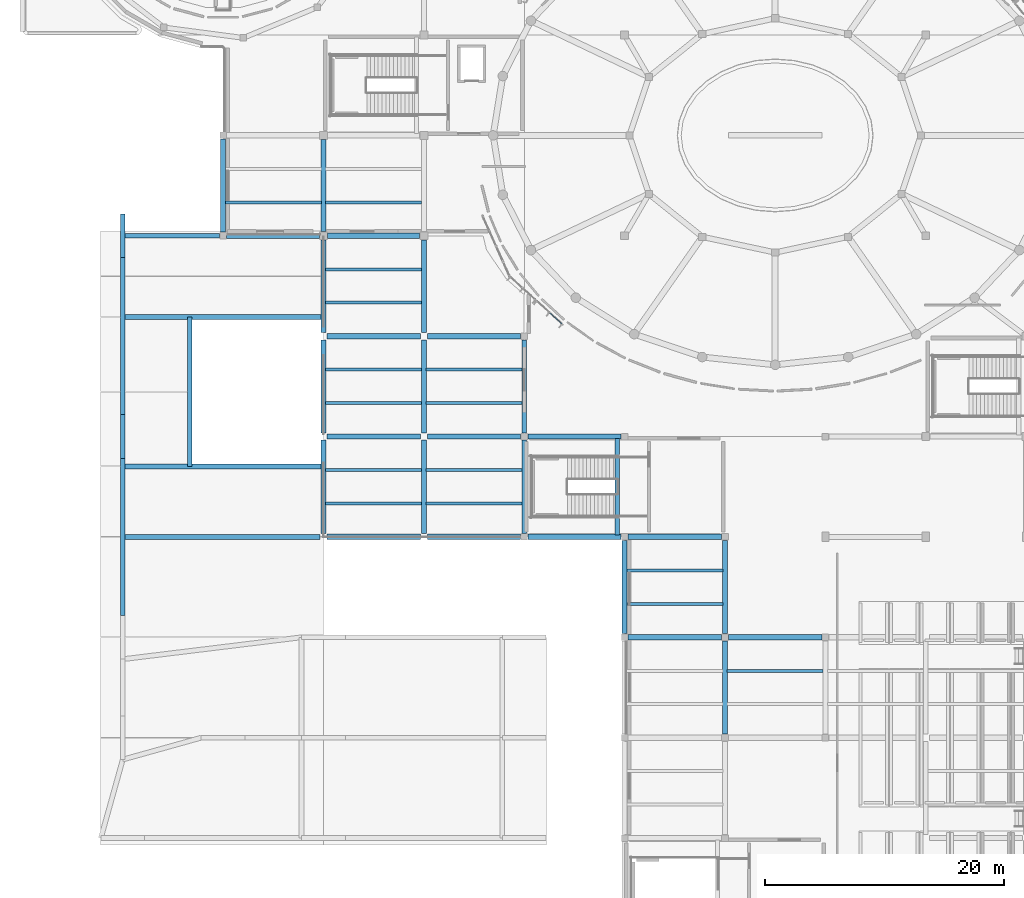
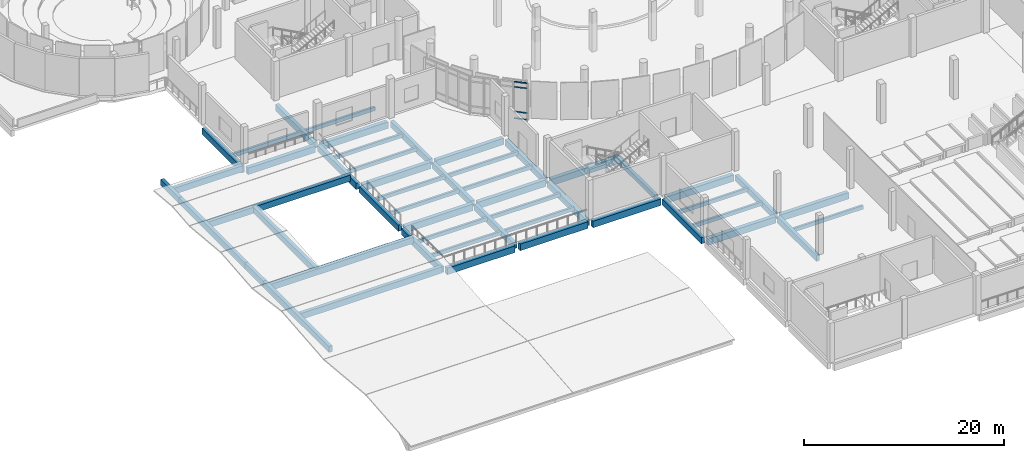
# One storey, part 2 of 63: 51 beams, 4 members, 1 element without a shape of its own.
"""IFC4 building model written with IfcOpenShell, lengths in metres."""

from ifc_helpers import new_model, si_unit, derived_unit, direction, frame, origin, origin_2d, place, context, subcontext, project, spatial, rectangle, hollow_rectangle, extrude, material, layer, layer_set, material_profile, profile_set, type_object, element, aggregate, save


model = new_model("IFC4")

# Units and contexts
model_context = context("Model", 3, precision=1e-05, world=origin(), true_north=direction((0.0, 1.0)))
body_context = subcontext(model_context, "Body", "Model", "MODEL_VIEW")
ifc_project = project(units=[si_unit("LENGTHUNIT", "METRE"), si_unit("AREAUNIT", "SQUARE_METRE"), si_unit("VOLUMEUNIT", "CUBIC_METRE"), si_unit("PLANEANGLEUNIT", "RADIAN"), si_unit("MASSUNIT", "GRAM", prefix="KILO"), derived_unit("THERMALTRANSMITTANCEUNIT", [(si_unit("POWERUNIT", "WATT"), 1), (si_unit("LENGTHUNIT", "METRE"), -2), (si_unit("THERMODYNAMICTEMPERATUREUNIT", "KELVIN"), -1)])], contexts=[model_context])

# Site, building, storey
site_placement = place(None, origin())
site = spatial("IfcSite", under=ifc_project, at=site_placement, CompositionType="ELEMENT")
building_placement = place(site_placement, origin())
building = spatial("IfcBuilding", under=site, at=building_placement, Name="Elbkamm Science Centre", CompositionType="ELEMENT")
storey_placement = place(building_placement, frame((0.0, 0.0, 5.10009765625)))
storey = spatial("IfcBuildingStorey", under=building, at=storey_placement, Name="L01", CompositionType="ELEMENT", Elevation=5.10009765625)

# Beams
ifc_material_1 = material(Name="Concrete C40/50", Category="concrete")
ifc_material_profile_1 = material_profile(ifc_material_1, rectangle(XDim=0.35009765625, YDim=0.60009765625, at=origin_2d()), Name="RC 350x600")
ifc_profile_set_1 = profile_set([ifc_material_profile_1], Name="Concrete C40/50")
beam_type_1 = type_object("IfcBeamType", Name="BM-RC-350x600", PredefinedType="BEAM", material=ifc_profile_set_1)
beam_1_placement = place(storey_placement, frame((49.780029296875, 33.75, -0.300048828125), z_axis=(0.0, 1.0, 0.0), x_axis=(-1.0, 0.0, 0.0)))
element("IfcBeam", 1, at=beam_1_placement, inside=storey, type_object=beam_type_1, Name="L01 ST-C5 Landing Trimmer Beam", PredefinedType="BEAM", context=body_context, shape_type="SweptSolid", body=[
    extrude(rectangle(XDim=0.35009765625, YDim=0.60009765625, at=origin_2d()), origin(), (0.0, 0.0, 1.0), 8.10009765625),
])
ifc_material_profile_2 = material_profile(ifc_material_1, rectangle(XDim=0.39990234375, YDim=0.75, at=origin_2d()), Name="RC 400x750")
ifc_profile_set_2 = profile_set([ifc_material_profile_2], Name="Concrete C40/50")
beam_type_2 = type_object("IfcBeamType", Name="BM-RC-400x750", PredefinedType="BEAM", material=ifc_profile_set_2)
beam_2_placement = place(storey_placement, frame((16.800048828125, 59.10009765625, -0.775146484375), z_axis=(0.0, 1.0, 0.0), x_axis=(-1.0, 0.0, 0.0)))
element("IfcBeam", 2, at=beam_2_placement, inside=storey, type_object=beam_type_2, Name="L01 Primary Y-Girder 001", PredefinedType="BEAM", context=body_context, shape_type="SweptSolid", body=[
    extrude(rectangle(XDim=0.39990234375, YDim=0.75, at=origin_2d()), origin(), (0.0, 0.0, 1.0), 7.7998046875),
])
for number, where, z_axis, x_axis, name in (
    (3, (25.199951171875, 33.89990234375, -0.625), (0.0, 1.0, 0.0), (-1.0, 0.0, 0.0), "L01 Primary Y-Girder 003"),
    (4, (25.199951171875, 42.300048828125, -0.625), (0.0, 1.0, 0.0), (-1.0, 0.0, 0.0), "L01 Primary Y-Girder 004"),
):
    element("IfcBeam", number, at=place(storey_placement, frame(where, z_axis=z_axis, x_axis=x_axis)), inside=storey, type_object=beam_type_2, Name=name, PredefinedType="BEAM", context=body_context, shape_type="SweptSolid", body=[
        extrude(rectangle(XDim=0.39990234375, YDim=0.75, at=origin_2d()), origin(), (0.0, 0.0, 1.0), 7.800048828125),
    ])
beam_3_placement = place(storey_placement, frame((25.199951171875, 50.699951171875, -0.625), z_axis=(0.0, 1.0, 0.0), x_axis=(-1.0, 0.0, 0.0)))
element("IfcBeam", 5, at=beam_3_placement, inside=storey, type_object=beam_type_2, Name="L01 Primary Y-Girder 005", PredefinedType="BEAM", context=body_context, shape_type="SweptSolid", body=[
    extrude(rectangle(XDim=0.39990234375, YDim=0.75, at=origin_2d()), origin(), (0.0, 0.0, 1.0), 7.75),
])
beam_4_placement = place(storey_placement, frame((25.199951171875, 59.14990234375, -0.775146484375), z_axis=(0.0, 1.0, 0.0), x_axis=(-1.0, 0.0, 0.0)))
element("IfcBeam", 6, at=beam_4_placement, inside=storey, type_object=beam_type_2, Name="L01 Primary Y-Girder 006", PredefinedType="BEAM", context=body_context, shape_type="SweptSolid", body=[
    extrude(rectangle(XDim=0.39990234375, YDim=0.75, at=origin_2d()), origin(), (0.0, 0.0, 1.0), 7.7001953125),
])
for number, where, z_axis, x_axis, name in (
    (7, (33.60009765625, 33.89990234375, -0.625), (0.0, 1.0, 0.0), (-1.0, 0.0, 0.0), "L01 Primary Y-Girder 007"),
    (8, (33.60009765625, 42.300048828125, -0.625), (0.0, 1.0, 0.0), (-1.0, 0.0, 0.0), "L01 Primary Y-Girder 008"),
):
    element("IfcBeam", number, at=place(storey_placement, frame(where, z_axis=z_axis, x_axis=x_axis)), inside=storey, type_object=beam_type_2, Name=name, PredefinedType="BEAM", context=body_context, shape_type="SweptSolid", body=[
        extrude(rectangle(XDim=0.39990234375, YDim=0.75, at=origin_2d()), origin(), (0.0, 0.0, 1.0), 7.800048828125),
    ])
beam_5_placement = place(storey_placement, frame((33.60009765625, 50.699951171875, -0.625), z_axis=(0.0, 1.0, 0.0), x_axis=(-1.0, 0.0, 0.0)))
element("IfcBeam", 9, at=beam_5_placement, inside=storey, type_object=beam_type_2, Name="L01 Primary Y-Girder 009", PredefinedType="BEAM", context=body_context, shape_type="SweptSolid", body=[
    extrude(rectangle(XDim=0.39990234375, YDim=0.75, at=origin_2d()), origin(), (0.0, 0.0, 1.0), 7.75),
])
for number, where, z_axis, x_axis, name in (
    (10, (42.0, 33.89990234375, -0.775146484375), (0.0, 1.0, 0.0), (-1.0, 0.0, 0.0), "L01 Primary Y-Girder 012"),
    (11, (42.0, 42.300048828125, -0.775146484375), (0.0, 1.0, 0.0), (-1.0, 0.0, 0.0), "L01 Primary Y-Girder 013"),
    (12, (50.39990234375, 25.5, -0.775146484375), (0.0, 1.0, 0.0), (-1.0, 0.0, 0.0), "L01 Primary Y-Girder 017"),
):
    element("IfcBeam", number, at=place(storey_placement, frame(where, z_axis=z_axis, x_axis=x_axis)), inside=storey, type_object=beam_type_2, Name=name, PredefinedType="BEAM", context=body_context, shape_type="SweptSolid", body=[
        extrude(rectangle(XDim=0.39990234375, YDim=0.75, at=origin_2d()), origin(), (0.0, 0.0, 1.0), 7.800048828125),
    ])
beam_6_placement = place(storey_placement, frame((58.800048828125, 17.10009765625, -0.775146484375), z_axis=(0.0, 1.0, 0.0), x_axis=(-1.0, 0.0, 0.0)))
element("IfcBeam", 13, at=beam_6_placement, inside=storey, type_object=beam_type_2, Name="L01 Primary Y-Girder 019", PredefinedType="BEAM", context=body_context, shape_type="SweptSolid", body=[
    extrude(rectangle(XDim=0.39990234375, YDim=0.75, at=origin_2d()), origin(), (0.0, 0.0, 1.0), 7.7998046875),
])
beam_7_placement = place(storey_placement, frame((58.800048828125, 25.5, -0.775146484375), z_axis=(0.0, 1.0, 0.0), x_axis=(-1.0, 0.0, 0.0)))
element("IfcBeam", 14, at=beam_7_placement, inside=storey, type_object=beam_type_2, Name="L01 Primary Y-Girder 020", PredefinedType="BEAM", context=body_context, shape_type="SweptSolid", body=[
    extrude(rectangle(XDim=0.39990234375, YDim=0.75, at=origin_2d()), origin(), (0.0, 0.0, 1.0), 7.800048828125),
])
ifc_material_profile_3 = material_profile(ifc_material_1, rectangle(XDim=0.449951171875, YDim=0.800048828125, at=origin_2d()), Name="RC 450x800")
ifc_profile_set_3 = profile_set([ifc_material_profile_3], Name="Concrete C40/50")
beam_type_3 = type_object("IfcBeamType", Name="BM-RC-450x800", PredefinedType="BEAM", material=ifc_profile_set_3)
beam_8_placement = place(storey_placement, frame((50.699951171875, 25.199951171875, -0.800048828125), z_axis=(1.0, 0.0, 0.0), x_axis=(0.0, 1.0, 0.0)))
element("IfcBeam", 15, at=beam_8_placement, inside=storey, type_object=beam_type_3, Name="L01 Primary X-Girder 016", PredefinedType="BEAM", context=body_context, shape_type="SweptSolid", body=[
    extrude(rectangle(XDim=0.449951171875, YDim=0.800048828125, at=origin_2d()), origin(), (0.0, 0.0, 1.0), 7.800048828125),
])
beam_9_placement = place(storey_placement, frame((59.10009765625, 25.199951171875, -0.800048828125), z_axis=(1.0, 0.0, 0.0), x_axis=(0.0, 1.0, 0.0)))
element("IfcBeam", 16, at=beam_9_placement, inside=storey, type_object=beam_type_3, Name="L01 Primary X-Girder 017", PredefinedType="BEAM", context=body_context, shape_type="SweptSolid", body=[
    extrude(rectangle(XDim=0.449951171875, YDim=0.800048828125, at=origin_2d()), origin(), (0.0, 0.0, 1.0), 7.7998046875),
])
for number, where, z_axis, x_axis, name in (
    (17, (25.5, 33.60009765625, -0.650146484375), (1.0, 0.0, 0.0), (0.0, 1.0, 0.0), "L01 Primary X-Girder 029"),
    (18, (33.89990234375, 33.60009765625, -0.650146484375), (1.0, 0.0, 0.0), (0.0, 1.0, 0.0), "L01 Primary X-Girder 030"),
    (19, (42.300048828125, 33.60009765625, -0.800048828125), (1.0, 0.0, 0.0), (0.0, 1.0, 0.0), "L01 Primary X-Girder 031"),
    (20, (50.699951171875, 33.60009765625, -0.800048828125), (1.0, 0.0, 0.0), (0.0, 1.0, 0.0), "L01 Primary X-Girder 032"),
    (21, (25.5, 42.0, -0.650146484375), (1.0, 0.0, 0.0), (0.0, 1.0, 0.0), "L01 Primary X-Girder 035"),
    (22, (33.89990234375, 42.0, -0.650146484375), (1.0, 0.0, 0.0), (0.0, 1.0, 0.0), "L01 Primary X-Girder 036"),
    (23, (42.300048828125, 42.0, -0.800048828125), (1.0, 0.0, 0.0), (0.0, 1.0, 0.0), "L01 Primary X-Girder 037"),
    (24, (25.5, 50.39990234375, -0.650146484375), (1.0, 0.0, 0.0), (0.0, 1.0, 0.0), "L01 Primary X-Girder 049"),
    (25, (33.89990234375, 50.39990234375, -0.650146484375), (1.0, 0.0, 0.0), (0.0, 1.0, 0.0), "L01 Primary X-Girder 050"),
):
    element("IfcBeam", number, at=place(storey_placement, frame(where, z_axis=z_axis, x_axis=x_axis)), inside=storey, type_object=beam_type_3, Name=name, PredefinedType="BEAM", context=body_context, shape_type="SweptSolid", body=[
        extrude(rectangle(XDim=0.449951171875, YDim=0.800048828125, at=origin_2d()), origin(), (0.0, 0.0, 1.0), 7.800048828125),
    ])
beam_10_placement = place(storey_placement, frame((17.10009765625, 58.800048828125, -0.800048828125), z_axis=(1.0, 0.0, 0.0), x_axis=(0.0, 1.0, 0.0)))
element("IfcBeam", 26, at=beam_10_placement, inside=storey, type_object=beam_type_3, Name="L01 Primary X-Girder 058", PredefinedType="BEAM", context=body_context, shape_type="SweptSolid", body=[
    extrude(rectangle(XDim=0.449951171875, YDim=0.800048828125, at=origin_2d()), origin(), (0.0, 0.0, 1.0), 7.75),
])
beam_11_placement = place(storey_placement, frame((25.550048828125, 58.800048828125, -0.800048828125), z_axis=(1.0, 0.0, 0.0), x_axis=(0.0, 1.0, 0.0)))
element("IfcBeam", 27, at=beam_11_placement, inside=storey, type_object=beam_type_3, Name="L01 Primary X-Girder 059", PredefinedType="BEAM", context=body_context, shape_type="SweptSolid", body=[
    extrude(rectangle(XDim=0.449951171875, YDim=0.800048828125, at=origin_2d()), origin(), (0.0, 0.0, 1.0), 7.699951171875),
])

# Curtain wall, members
ifc_material_2 = material(Name="Powder-coated aluminium and triple low-E glazing", Category="aluminium")
ifc_layer = layer(ifc_material_2, 0.159912109375)
ifc_layer_set = layer_set([ifc_layer], Name="Powder-coated aluminium and triple low-E glazing")
curtain_wall_type = type_object("IfcCurtainWallType", Name="CW-UNIT-2940x4500", PredefinedType="USERDEFINED", material=ifc_layer_set)
curtain_wall_placement = place(storey_placement, origin())
curtain_wall = element("IfcCurtainWall", 28, at=curtain_wall_placement, inside=storey, type_object=curtain_wall_type, Name="L01 Unitised Curtain Wall 014", ObjectType="UNITISED CURTAIN WALL", PredefinedType="USERDEFINED")
ifc_material_3 = material(Name="Powder-coated aluminium EN AW-6060", Category="aluminium")
ifc_material_profile_4 = material_profile(ifc_material_3, hollow_rectangle(XDim=0.070068359375, YDim=0.14990234375, WallThickness=0.00390625, at=origin_2d()), Name="ALU T70x150")
ifc_profile_set_4 = profile_set([ifc_material_profile_4], Name="Powder-coated aluminium EN AW-6060")
member_type = type_object("IfcMemberType", Name="CW-TRN-70x150", PredefinedType="USERDEFINED", material=ifc_profile_set_4)
member_1_placement = place(storey_placement, frame((44.135009765625, 52.34912109375, 0.034912109375), z_axis=(0.740646322035, -0.671895100188, 0.0), x_axis=(0.671895100188, 0.740646322035, 0.0)))
member_1 = element("IfcMember", 29, at=member_1_placement, type_object=member_type, Name="CW-008 transom 2.1", ObjectType="TRANSOM", PredefinedType="USERDEFINED", context=body_context, shape_type="SweptSolid", body=[
    extrude(hollow_rectangle(XDim=0.070068359375, YDim=0.14990234375, WallThickness=0.00390625, at=origin_2d()), origin(), (0.0, 0.0, 1.0), 1.360107421875),
])
member_2_placement = place(storey_placement, frame((44.135009765625, 52.34912109375, 0.849853515625), z_axis=(0.740646322035, -0.671895100188, 0.0), x_axis=(0.671895100188, 0.740646322035, 0.0)))
member_2 = element("IfcMember", 30, at=member_2_placement, type_object=member_type, Name="CW-008 transom 2.2", ObjectType="TRANSOM", PredefinedType="USERDEFINED", context=body_context, shape_type="SweptSolid", body=[
    extrude(hollow_rectangle(XDim=0.070068359375, YDim=0.14990234375, WallThickness=0.00390625, at=origin_2d()), origin(), (0.0, 0.0, 1.0), 1.360107421875),
])
member_3_placement = place(storey_placement, frame((44.135009765625, 52.34912109375, 3.849853515625), z_axis=(0.740646322035, -0.671895100188, 0.0), x_axis=(0.671895100188, 0.740646322035, 0.0)))
member_3 = element("IfcMember", 31, at=member_3_placement, type_object=member_type, Name="CW-008 transom 2.3", ObjectType="TRANSOM", PredefinedType="USERDEFINED", context=body_context, shape_type="SweptSolid", body=[
    extrude(hollow_rectangle(XDim=0.070068359375, YDim=0.14990234375, WallThickness=0.00390625, at=origin_2d()), origin(), (0.0, 0.0, 1.0), 1.360107421875),
])
member_4_placement = place(storey_placement, frame((44.135009765625, 52.34912109375, 4.46484375), z_axis=(0.740646322035, -0.671895100188, 0.0), x_axis=(0.671895100188, 0.740646322035, 0.0)))
member_4 = element("IfcMember", 32, at=member_4_placement, type_object=member_type, Name="CW-008 transom 2.4", ObjectType="TRANSOM", PredefinedType="USERDEFINED", context=body_context, shape_type="SweptSolid", body=[
    extrude(hollow_rectangle(XDim=0.070068359375, YDim=0.14990234375, WallThickness=0.00390625, at=origin_2d()), origin(), (0.0, 0.0, 1.0), 1.360107421875),
])
aggregate(curtain_wall, [member_1, member_2, member_3, member_4])

# Beams
ifc_material_profile_5 = material_profile(ifc_material_1, rectangle(XDim=0.25, YDim=0.449951171875, at=origin_2d()), Name="RC 250x450")
ifc_profile_set_5 = profile_set([ifc_material_profile_5], Name="Concrete C40/50")
beam_type_4 = type_object("IfcBeamType", Name="JST-RC-250x450", PredefinedType="JOIST", material=ifc_profile_set_5)
for number, where, z_axis, x_axis, name in (
    (33, (16.97998046875, 61.60009765625, -0.625), (1.0, 0.0, 0.0), (0.0, 1.0, 0.0), "L01 Secondary Floor Joist 001"),
    (34, (25.3798828125, 36.39990234375, -0.47509765625), (1.0, 0.0, 0.0), (0.0, 1.0, 0.0), "L01 Secondary Floor Joist 003"),
    (35, (25.3798828125, 39.199951171875, -0.47509765625), (1.0, 0.0, 0.0), (0.0, 1.0, 0.0), "L01 Secondary Floor Joist 004"),
    (36, (25.3798828125, 44.800048828125, -0.47509765625), (1.0, 0.0, 0.0), (0.0, 1.0, 0.0), "L01 Secondary Floor Joist 005"),
    (37, (25.3798828125, 47.60009765625, -0.47509765625), (1.0, 0.0, 0.0), (0.0, 1.0, 0.0), "L01 Secondary Floor Joist 006"),
    (38, (25.3798828125, 53.199951171875, -0.47509765625), (1.0, 0.0, 0.0), (0.0, 1.0, 0.0), "L01 Secondary Floor Joist 007"),
    (39, (25.3798828125, 56.0, -0.47509765625), (1.0, 0.0, 0.0), (0.0, 1.0, 0.0), "L01 Secondary Floor Joist 008"),
    (40, (25.3798828125, 61.60009765625, -0.625), (1.0, 0.0, 0.0), (0.0, 1.0, 0.0), "L01 Secondary Floor Joist 009"),
    (41, (33.780029296875, 36.39990234375, -0.47509765625), (1.0, 0.0, 0.0), (0.0, 1.0, 0.0), "L01 Secondary Floor Joist 011"),
    (42, (33.780029296875, 39.199951171875, -0.47509765625), (1.0, 0.0, 0.0), (0.0, 1.0, 0.0), "L01 Secondary Floor Joist 012"),
    (43, (33.780029296875, 44.800048828125, -0.47509765625), (1.0, 0.0, 0.0), (0.0, 1.0, 0.0), "L01 Secondary Floor Joist 013"),
    (44, (33.780029296875, 47.60009765625, -0.47509765625), (1.0, 0.0, 0.0), (0.0, 1.0, 0.0), "L01 Secondary Floor Joist 014"),
    (45, (50.580078125, 28.0, -0.625), (1.0, 0.0, 0.0), (0.0, 1.0, 0.0), "L01 Secondary Floor Joist 019"),
    (46, (50.580078125, 30.800048828125, -0.625), (1.0, 0.0, 0.0), (0.0, 1.0, 0.0), "L01 Secondary Floor Joist 020"),
    (47, (58.97998046875, 22.39990234375, -0.625), (1.0, 0.0, 0.0), (0.0, 1.0, 0.0), "L01 Secondary Floor Joist 022"),
):
    element("IfcBeam", number, at=place(storey_placement, frame(where, z_axis=z_axis, x_axis=x_axis)), inside=storey, type_object=beam_type_4, Name=name, PredefinedType="JOIST", context=body_context, shape_type="SweptSolid", body=[
        extrude(rectangle(XDim=0.25, YDim=0.449951171875, at=origin_2d()), origin(), (0.0, 0.0, 1.0), 8.0400390625),
    ])
ifc_material_4 = material(Name="White architectural concrete C45/55", Category="concrete")
ifc_material_profile_6 = material_profile(ifc_material_4, rectangle(XDim=0.39990234375, YDim=0.75, at=origin_2d()), Name="RC 400x750")
ifc_profile_set_6 = profile_set([ifc_material_profile_6], Name="White architectural concrete C45/55")
beam_type_5 = type_object("IfcBeamType", Name="SP-RC-400x750", PredefinedType="SPANDREL", material=ifc_profile_set_6)
for number, where, z_axis, x_axis, name in (
    (48, (8.39990234375, 40.1669921875, -0.255126953125), (0.0, 1.0, 0.0), (-1.0, 0.0, 0.0), "Marquise V-Piloti Cap Beam 08"),
    (49, (8.39990234375, 56.967041015625, -0.255126953125), (0.0, 1.0, 0.0), (-1.0, 0.0, 0.0), "Marquise V-Piloti Cap Beam 09"),
):
    element("IfcBeam", number, at=place(storey_placement, frame(where, z_axis=z_axis, x_axis=x_axis)), inside=storey, type_object=beam_type_5, Name=name, PredefinedType="SPANDREL", context=body_context, shape_type="SweptSolid", body=[
        extrude(rectangle(XDim=0.39990234375, YDim=0.75, at=origin_2d()), origin(), (0.0, 0.0, 1.0), 3.666015625),
    ])
for number, where, z_axis, x_axis, name in (
    (50, (8.39990234375, 27.032958984375, -0.255126953125), (0.0, 1.0, 0.0), (-1.0, 0.0, 0.0), "Marquise Canopy Spine Girder 10"),
    (51, (8.39990234375, 43.8330078125, -0.255126953125), (0.0, 1.0, 0.0), (-1.0, 0.0, 0.0), "Marquise Canopy Spine Girder 11"),
):
    element("IfcBeam", number, at=place(storey_placement, frame(where, z_axis=z_axis, x_axis=x_axis)), inside=storey, type_object=beam_type_5, Name=name, PredefinedType="SPANDREL", context=body_context, shape_type="SweptSolid", body=[
        extrude(rectangle(XDim=0.39990234375, YDim=0.75, at=origin_2d()), origin(), (0.0, 0.0, 1.0), 13.134033203125),
    ])
beam_12_placement = place(storey_placement, frame((8.39990234375, 33.60009765625, -0.255126953125), z_axis=(1.0, 0.0, 0.0), x_axis=(0.0, 1.0, 0.0)))
element("IfcBeam", 52, at=beam_12_placement, inside=storey, type_object=beam_type_5, Name="Marquise Canopy Spine Girder 16", PredefinedType="SPANDREL", context=body_context, shape_type="SweptSolid", body=[
    extrude(rectangle(XDim=0.39990234375, YDim=0.75, at=origin_2d()), origin(), (0.0, 0.0, 1.0), 16.5),
])
for number, where, z_axis, x_axis, name in (
    (53, (8.39990234375, 39.5, -0.255126953125), (1.0, 0.0, 0.0), (0.0, 1.0, 0.0), "Marquise Canopy Spine Girder 17"),
    (54, (8.39990234375, 52.0, -0.255126953125), (1.0, 0.0, 0.0), (0.0, 1.0, 0.0), "Marquise Canopy Spine Girder 18"),
):
    element("IfcBeam", number, at=place(storey_placement, frame(where, z_axis=z_axis, x_axis=x_axis)), inside=storey, type_object=beam_type_5, Name=name, PredefinedType="SPANDREL", context=body_context, shape_type="SweptSolid", body=[
        extrude(rectangle(XDim=0.39990234375, YDim=0.75, at=origin_2d()), origin(), (0.0, 0.0, 1.0), 16.60009765625),
    ])
beam_13_placement = place(storey_placement, frame((8.60009765625, 58.800048828125, -0.255126953125), z_axis=(1.0, 0.0, 0.0), x_axis=(0.0, 1.0, 0.0)))
element("IfcBeam", 55, at=beam_13_placement, inside=storey, type_object=beam_type_5, Name="Marquise Canopy Spine Girder 19", PredefinedType="SPANDREL", context=body_context, shape_type="SweptSolid", body=[
    extrude(rectangle(XDim=0.39990234375, YDim=0.75, at=origin_2d()), origin(), (0.0, 0.0, 1.0), 7.89990234375),
])
beam_14_placement = place(storey_placement, frame((14.0, 39.5, -0.255126953125), z_axis=(0.0, 1.0, 0.0), x_axis=(-1.0, 0.0, 0.0)))
element("IfcBeam", 56, at=beam_14_placement, inside=storey, type_object=beam_type_5, Name="Marquise Canopy Spine Girder 20", PredefinedType="SPANDREL", context=body_context, shape_type="SweptSolid", body=[
    extrude(rectangle(XDim=0.39990234375, YDim=0.75, at=origin_2d()), origin(), (0.0, 0.0, 1.0), 12.5),
])

save(model, "model.ifc")
